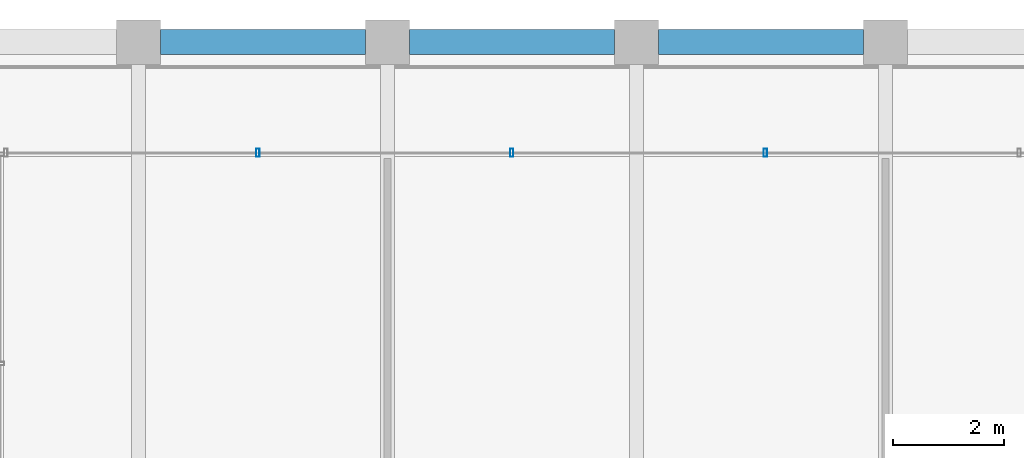
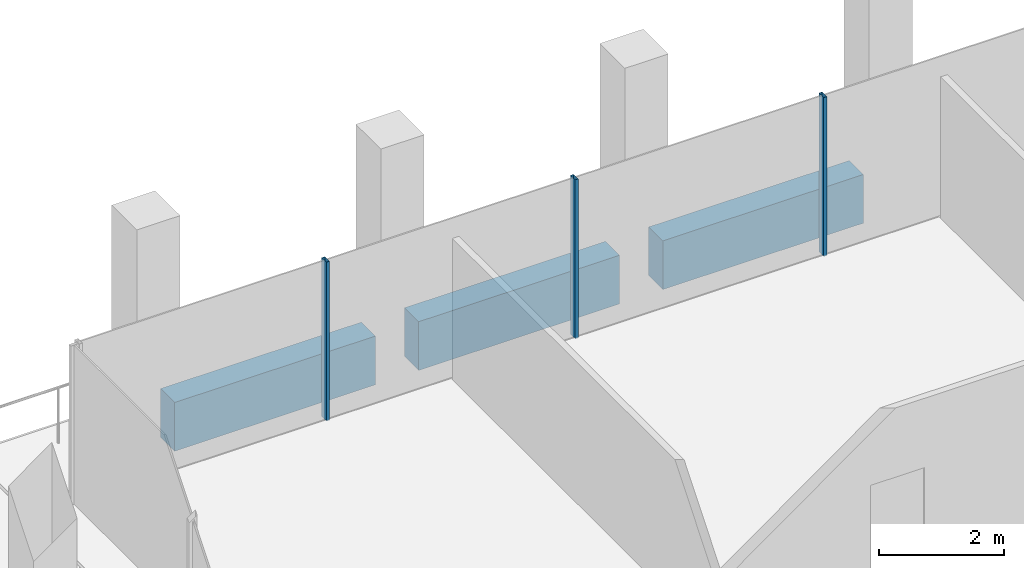
# One storey, part 23 of 30: 3 beams, 3 members, 1 element without a shape of its own.
"""IFC4 building model written with IfcOpenShell, lengths in metres."""

from ifc_helpers import new_model, si_unit, direction, frame, origin, origin_2d, place, context, subcontext, project, spatial, rectangle, hollow_rectangle, extrude, material, material_profile, profile_set, type_object, element, aggregate, save


model = new_model("IFC4")

# Units and contexts
model_context = context("Model", 3, precision=1e-05, world=origin(), true_north=direction((0.0, 1.0)))
body_context = subcontext(model_context, "Body", "Model", "MODEL_VIEW")
ifc_project = project(units=[si_unit("LENGTHUNIT", "METRE"), si_unit("AREAUNIT", "SQUARE_METRE"), si_unit("VOLUMEUNIT", "CUBIC_METRE"), si_unit("PLANEANGLEUNIT", "RADIAN"), si_unit("MASSUNIT", "GRAM", prefix="KILO")], contexts=[model_context])

# Site, building, storey
site_placement = place(None, origin())
site = spatial("IfcSite", under=ifc_project, at=site_placement, CompositionType="ELEMENT")
building_placement = place(site_placement, origin())
building = spatial("IfcBuilding", under=site, at=building_placement, Name="Altepetl Exchange Towers", CompositionType="ELEMENT")
storey_placement = place(building_placement, frame((0.0, 0.0, 228.0)))
storey = spatial("IfcBuildingStorey", under=building, at=storey_placement, Name="L58", CompositionType="ELEMENT", Elevation=228.0)

# Curtain wall, members
ifc_material_1 = material(Name="Aluminium 6063-T6 glazing", Category="aluminium")
curtain_wall_type = type_object("IfcCurtainWallType", Name="Loggia glazing system", PredefinedType="NOTDEFINED", material=ifc_material_1)
curtain_wall_placement = place(storey_placement, origin())
curtain_wall = element("IfcCurtainWall", 1, at=curtain_wall_placement, inside=storey, type_object=curtain_wall_type, Name="CW1 run", PredefinedType="NOTDEFINED")
ifc_material_2 = material(Name="Aluminium 6063-T6", Category="aluminium")
ifc_material_profile_1 = material_profile(ifc_material_2, hollow_rectangle(XDim=0.06005859375, YDim=0.14990234375, WallThickness=0.0029296875, at=origin_2d()), Name="Mullion 60x150 aluminium")
ifc_profile_set_1 = profile_set([ifc_material_profile_1], Name="Aluminium 6063-T6")
member_type = type_object("IfcMemberType", Name="Mullion 60x150 aluminium", PredefinedType="MULLION", material=ifc_profile_set_1)
member_1_placement = place(storey_placement, frame((56.330078125, 70.0, 0.0), z_axis=(0.0, 0.0, 1.0), x_axis=(-1.0, 0.0, 0.0)))
member_1 = element("IfcMember", 2, at=member_1_placement, type_object=member_type, Name="MU1 mullion", PredefinedType="MULLION", context=body_context, shape_type="SweptSolid", body=[
    extrude(hollow_rectangle(XDim=0.06005859375, YDim=0.14990234375, WallThickness=0.0029296875, at=origin_2d()), origin(), (0.0, 0.0, 1.0), 3.10009765625),
])
member_2_placement = place(storey_placement, frame((51.7451171875, 70.0, 0.0), z_axis=(0.0, 0.0, 1.0), x_axis=(-1.0, 0.0, 0.0)))
member_2 = element("IfcMember", 3, at=member_2_placement, type_object=member_type, Name="MU1 mullion", PredefinedType="MULLION", context=body_context, shape_type="SweptSolid", body=[
    extrude(hollow_rectangle(XDim=0.06005859375, YDim=0.14990234375, WallThickness=0.0029296875, at=origin_2d()), origin(), (0.0, 0.0, 1.0), 3.10009765625),
])
member_3_placement = place(storey_placement, frame((47.159912109375, 70.0, 0.0), z_axis=(0.0, 0.0, 1.0), x_axis=(-1.0, 0.0, 0.0)))
member_3 = element("IfcMember", 4, at=member_3_placement, type_object=member_type, Name="MU1 mullion", PredefinedType="MULLION", context=body_context, shape_type="SweptSolid", body=[
    extrude(hollow_rectangle(XDim=0.06005859375, YDim=0.14990234375, WallThickness=0.0029296875, at=origin_2d()), origin(), (0.0, 0.0, 1.0), 3.10009765625),
])
aggregate(curtain_wall, [member_1, member_2, member_3])

# Beams
ifc_material_3 = material(Name="Concrete C50/60 precast with cantera rosa facing", Category="concrete")
ifc_material_profile_2 = material_profile(ifc_material_3, rectangle(XDim=0.449951171875, YDim=0.949951171875, at=origin_2d()), Name="450 x 950")
ifc_profile_set_2 = profile_set([ifc_material_profile_2], Name="Concrete C50/60 precast with cantera rosa facing")
beam_type = type_object("IfcBeamType", Name="Spandrel beam 450x950 cantera rosa", PredefinedType="SPANDREL", material=ifc_profile_set_2)
for number, where, z_axis, x_axis, name in (
    (5, (58.10009765625, 72.0, -0.625), (-1.0, 0.0, 0.0), (0.0, -1.0, 0.0), "sp:A:L58:026"),
    (6, (53.60009765625, 72.0, -0.625), (-1.0, 0.0, 0.0), (0.0, -1.0, 0.0), "sp:A:L58:027"),
    (7, (49.10009765625, 72.0, -0.625), (-1.0, 0.0, 0.0), (0.0, -1.0, 0.0), "sp:A:L58:028"),
):
    element("IfcBeam", number, at=place(storey_placement, frame(where, z_axis=z_axis, x_axis=x_axis)), inside=storey, type_object=beam_type, Name=name, PredefinedType="SPANDREL", context=body_context, shape_type="SweptSolid", body=[
        extrude(rectangle(XDim=0.449951171875, YDim=0.949951171875, at=origin_2d()), origin(), (0.0, 0.0, 1.0), 3.7001953125),
    ])

save(model, "model.ifc")
